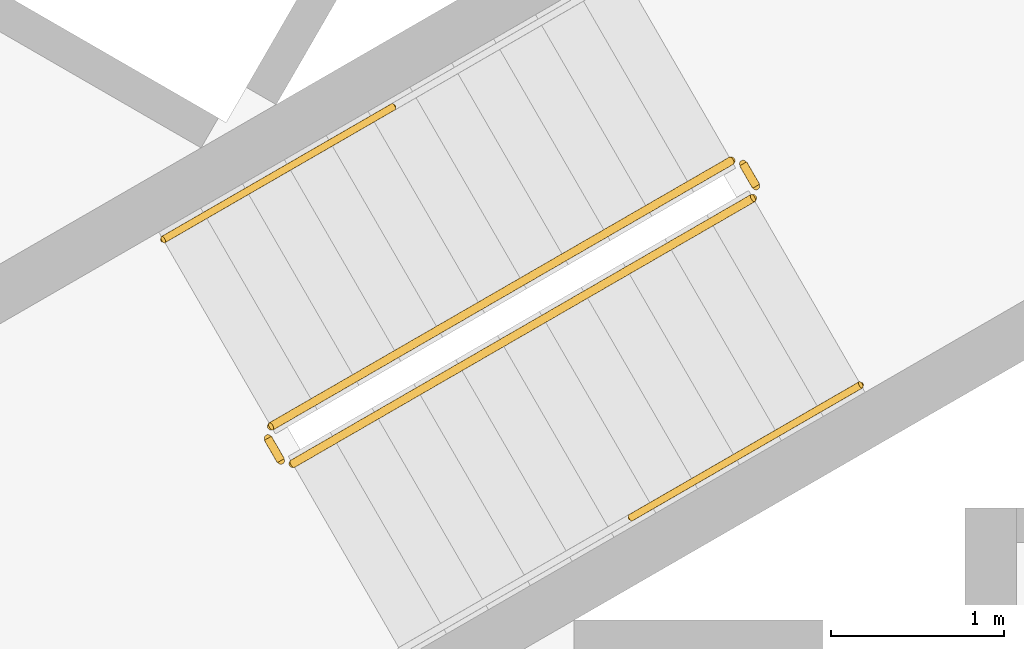
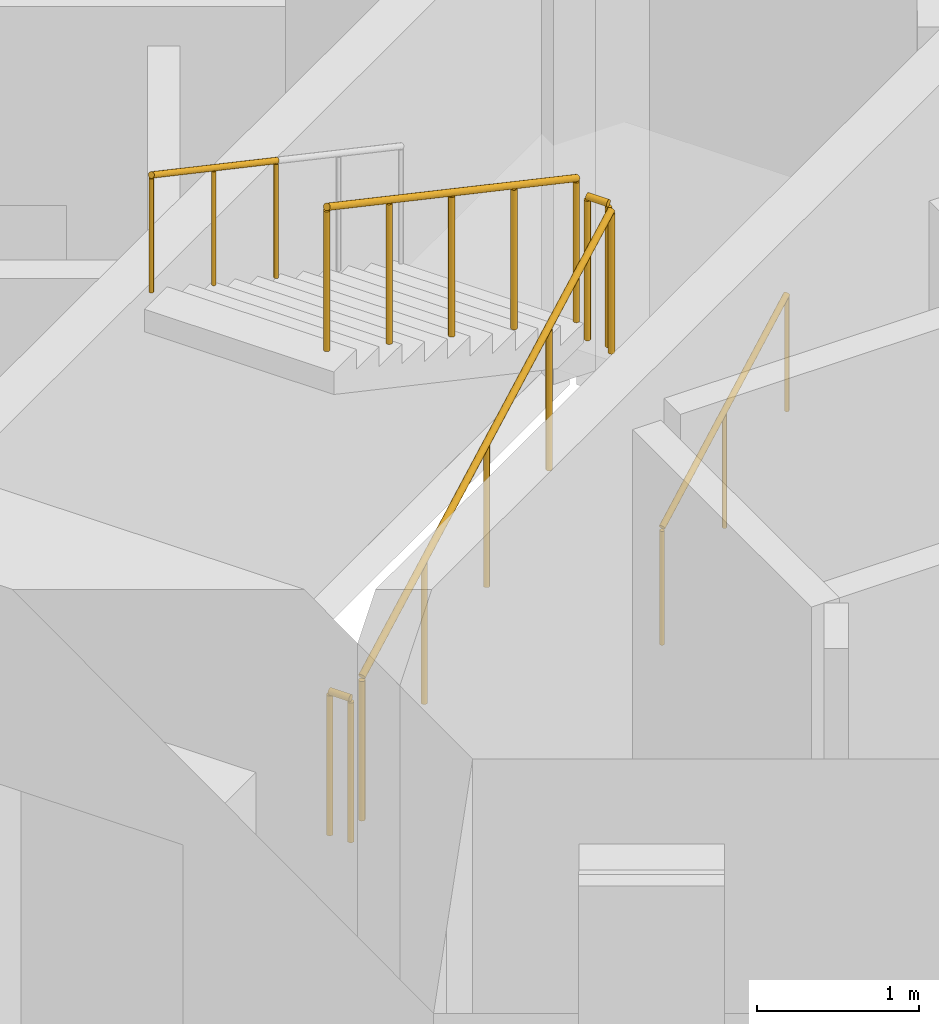
# One storey, part 12 of 17: 6 railings.
"""IFC4 building model written with IfcOpenShell, lengths in metres."""

from ifc_helpers import new_model, si_unit, direction, frame, origin, origin_2d, place, context, subcontext, project, spatial, circle, extrude, material, type_object, element, save


model = new_model("IFC4")

# Units and contexts
model_context = context("Model", 3, precision=1e-05, world=origin(), true_north=direction((0.0, 1.0)))
body_context = subcontext(model_context, "Body", "Model", "MODEL_VIEW")
ifc_project = project(units=[si_unit("LENGTHUNIT", "METRE"), si_unit("AREAUNIT", "SQUARE_METRE"), si_unit("VOLUMEUNIT", "CUBIC_METRE"), si_unit("PLANEANGLEUNIT", "RADIAN"), si_unit("MASSUNIT", "GRAM", prefix="KILO")], contexts=[model_context])

# Site, building, storey
site_placement = place(None, origin())
site = spatial("IfcSite", under=ifc_project, at=site_placement, CompositionType="ELEMENT")
building_placement = place(site_placement, origin())
building = spatial("IfcBuilding", under=site, at=building_placement, Name="Trine Commons Tower", CompositionType="ELEMENT")
storey_placement = place(building_placement, frame((0.0, 0.0, 168.300048828125)))
storey = spatial("IfcBuildingStorey", under=building, at=storey_placement, Name="L43", CompositionType="ELEMENT", Elevation=168.300048828125)

# Railings
ifc_material_1 = material(Name="Stainless steel balustrade", Category="steel")
railing_type_1 = type_object("IfcRailingType", Name="Stair guard, steel balustrade 1100", PredefinedType="GUARDRAIL", material=ifc_material_1)
railing_1_placement = place(storey_placement, frame((74.80517578125, 59.3564453125, 0.14990234375)))
element("IfcRailing", 1, at=railing_1_placement, inside=storey, type_object=railing_type_1, Name="L43 ST2B stair guard 1", PredefinedType="GUARDRAIL", context=body_context, shape_type="SweptSolid", body=[
    extrude(circle(Radius=0.02392578125, at=origin_2d()), frame((0.0, 0.0, 1.076171875), z_axis=(0.763379768245, 0.440728498818, 0.472239049384), x_axis=(-0.499992328818, 0.866029832698, 0.0)), (0.0, 0.0, 1.0), 3.494384765625),
    extrude(circle(Radius=0.02099609375, at=origin_2d()), origin(), (0.0, 0.0, 1.0), 1.052001953125),
    extrude(circle(Radius=0.02099609375, at=origin_2d()), frame((0.6669921875, 0.385009765625, 0.41259765625)), (0.0, 0.0, 1.0), 1.052001953125),
    extrude(circle(Radius=0.02099609375, at=origin_2d()), frame((1.333740234375, 0.77001953125, 0.8251953125)), (0.0, 0.0, 1.0), 1.052001953125),
    extrude(circle(Radius=0.02099609375, at=origin_2d()), frame((2.00048828125, 1.155029296875, 1.237548828125)), (0.0, 0.0, 1.0), 1.052001953125),
    extrude(circle(Radius=0.02099609375, at=origin_2d()), frame((2.66748046875, 1.5400390625, 1.650146484375)), (0.0, 0.0, 1.0), 1.052001953125),
])
railing_2_placement = place(storey_placement, frame((77.490966796875, 60.96484375, 1.800048828125)))
element("IfcRailing", 2, at=railing_2_placement, inside=storey, type_object=railing_type_1, Name="L43 ST2B stair guard 2", PredefinedType="GUARDRAIL", context=body_context, shape_type="SweptSolid", body=[
    extrude(circle(Radius=0.02392578125, at=origin_2d()), frame((0.0, 0.0, 1.076171875), z_axis=(-0.501036270542, 0.865426285481, 0.0), x_axis=(-0.865426285481, -0.501036270542, 0.0)), (0.0, 0.0, 1.0), 0.150146484375),
    extrude(circle(Radius=0.02099609375, at=origin_2d()), origin(), (0.0, 0.0, 1.0), 1.052001953125),
    extrude(circle(Radius=0.02099609375, at=origin_2d()), frame((-0.0751953125, 0.1298828125, 0.0)), (0.0, 0.0, 1.0), 1.052001953125),
])
railing_3_placement = place(storey_placement, frame((77.34765625, 61.113037109375, 1.949951171875)))
element("IfcRailing", 3, at=railing_3_placement, inside=storey, type_object=railing_type_1, Name="L43 ST2B stair guard 3", PredefinedType="GUARDRAIL", context=body_context, shape_type="SweptSolid", body=[
    extrude(circle(Radius=0.02392578125, at=origin_2d()), frame((0.0, 0.0, 1.076171875), z_axis=(-0.76340495495, -0.440743040072, 0.472184759798), x_axis=(0.499992328818, -0.866029832698, 0.0)), (0.0, 0.0, 1.0), 3.494140625),
    extrude(circle(Radius=0.02099609375, at=origin_2d()), origin(), (0.0, 0.0, 1.0), 1.052001953125),
    extrude(circle(Radius=0.02099609375, at=origin_2d()), frame((-0.6669921875, -0.385009765625, 0.41259765625)), (0.0, 0.0, 1.0), 1.052001953125),
    extrude(circle(Radius=0.02099609375, at=origin_2d()), frame((-1.333740234375, -0.77001953125, 0.824951171875)), (0.0, 0.0, 1.0), 1.052001953125),
    extrude(circle(Radius=0.02099609375, at=origin_2d()), frame((-2.00048828125, -1.155029296875, 1.2373046875)), (0.0, 0.0, 1.0), 1.052001953125),
    extrude(circle(Radius=0.02099609375, at=origin_2d()), frame((-2.66748046875, -1.5400390625, 1.64990234375)), (0.0, 0.0, 1.0), 1.052001953125),
])
railing_4_placement = place(storey_placement, frame((74.73681640625, 59.374755859375, 0.0)))
element("IfcRailing", 4, at=railing_4_placement, inside=storey, type_object=railing_type_1, Name="L43 ST2B stair guard 4", PredefinedType="GUARDRAIL", context=body_context, shape_type="SweptSolid", body=[
    extrude(circle(Radius=0.02392578125, at=origin_2d()), frame((0.0, 0.0, 1.076171875), z_axis=(-0.499816412211, 0.866131372301, 0.0), x_axis=(-0.866131372301, -0.499816412211, 0.0)), (0.0, 0.0, 1.0), 0.14990234375),
    extrude(circle(Radius=0.02099609375, at=origin_2d()), origin(), (0.0, 0.0, 1.0), 1.052001953125),
    extrude(circle(Radius=0.02099609375, at=origin_2d()), frame((-0.074951171875, 0.1298828125, 0.0)), (0.0, 0.0, 1.0), 1.052001953125),
])
ifc_material_2 = material(Name="Stainless steel handrail", Category="steel")
railing_type_2 = type_object("IfcRailingType", Name="Stair handrail, steel 900", PredefinedType="HANDRAIL", material=ifc_material_2)
railing_5_placement = place(storey_placement, frame((76.763916015625, 59.0439453125, 0.974853515625)))
element("IfcRailing", 5, at=railing_5_placement, inside=storey, type_object=railing_type_2, Name="L43 ST2B stair handrail 2", PredefinedType="HANDRAIL", context=body_context, shape_type="SweptSolid", body=[
    extrude(circle(Radius=0.02099609375, at=origin_2d()), frame((0.0, 0.0, 0.87890625), z_axis=(0.763354580307, 0.440713956853, 0.472293333596), x_axis=(-0.499992328818, 0.866029832698, 0.0)), (0.0, 0.0, 1.0), 1.747314453125),
    extrude(circle(Radius=0.01513671875, at=origin_2d()), origin(), (0.0, 0.0, 1.0), 0.85791015625),
    extrude(circle(Radius=0.01513671875, at=origin_2d()), frame((0.6669921875, 0.385009765625, 0.41259765625)), (0.0, 0.0, 1.0), 0.85791015625),
    extrude(circle(Radius=0.01513671875, at=origin_2d()), frame((1.333740234375, 0.77001953125, 0.8251953125)), (0.0, 0.0, 1.0), 0.85791015625),
])
railing_6_placement = place(storey_placement, frame((75.388916015625, 61.425537109375, 2.77490234375)))
element("IfcRailing", 6, at=railing_6_placement, inside=storey, type_object=railing_type_2, Name="L43 ST2B stair handrail 4", PredefinedType="HANDRAIL", context=body_context, shape_type="SweptSolid", body=[
    extrude(circle(Radius=0.02099609375, at=origin_2d()), frame((0.0, 0.0, 0.87890625), z_axis=(-0.76340495495, -0.440743040072, 0.472184759798), x_axis=(0.499992328818, -0.866029832698, 0.0)), (0.0, 0.0, 1.0), 1.7470703125),
    extrude(circle(Radius=0.01513671875, at=origin_2d()), origin(), (0.0, 0.0, 1.0), 0.85791015625),
    extrude(circle(Radius=0.01513671875, at=origin_2d()), frame((-0.6669921875, -0.385009765625, 0.41259765625)), (0.0, 0.0, 1.0), 0.85791015625),
    extrude(circle(Radius=0.01513671875, at=origin_2d()), frame((-1.333740234375, -0.77001953125, 0.824951171875)), (0.0, 0.0, 1.0), 0.85791015625),
])

save(model, "model.ifc")
